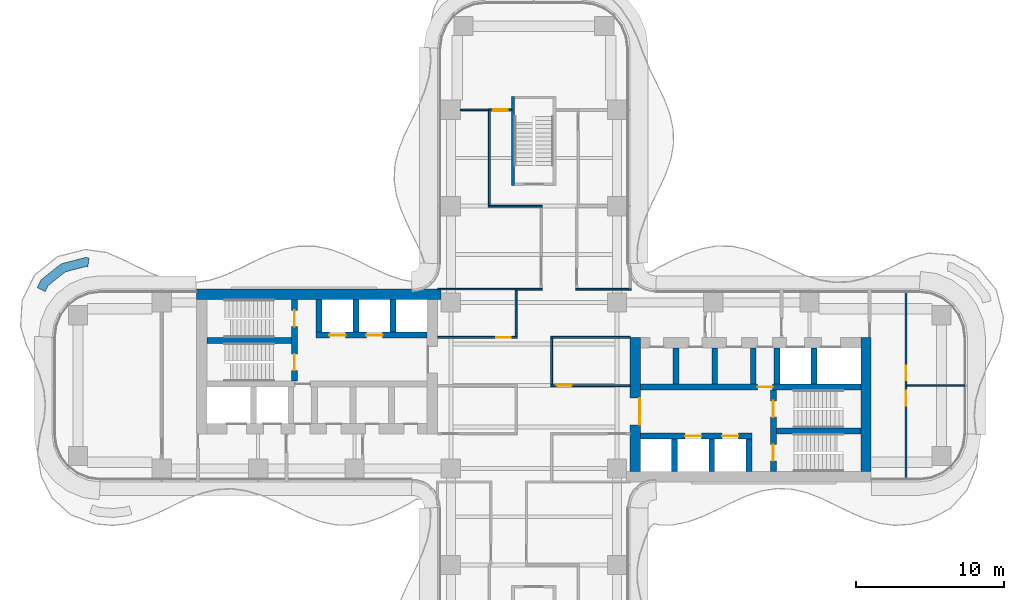
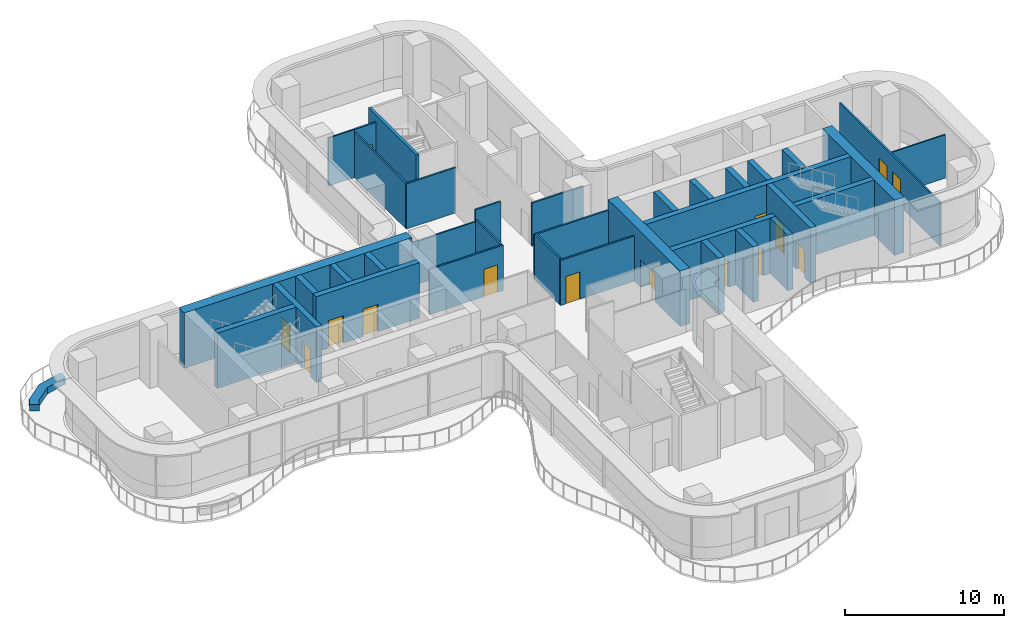
# One storey, part 17 of 21: 37 walls, 15 doors, 15 openings.
"""IFC4 building model written with IfcOpenShell, lengths in metres."""

import ifcopenshell
import ifcopenshell.guid

model = None  # the IFC model being written
_history = None  # IfcOwnerHistory: only IFC2X3 demands one
_inside = {}  # id of a spatial element -> (the spatial element, [elements in it])
_under = {}  # id of a project, library or spatial element -> (it, [spatial elements below it])
_declared = {}  # id of a project -> (the project, [libraries it declares])
_typed = {}  # id of a type object -> (the type object, [elements of that type])
_made_of = {}  # id of a material, layer set ... -> (it, [elements and type objects made of it])


def new_model(schema):
    """Start an empty IFC model of exactly this schema.

    Asked for "IFC4X3", IfcOpenShell would pick the latest addendum, in which some entities
    have other attributes; the version numbers below select the first issue.
    IFC2X3 requires an IfcOwnerHistory on every rooted entity: one is made here for all.
    """
    global model, _history
    if schema == "IFC4X3":
        model = ifcopenshell.file(schema_version=(4, 3, 0, 0))
    else:
        model = ifcopenshell.file(schema=schema)
    _inside.clear()
    _under.clear()
    _declared.clear()
    _typed.clear()
    _made_of.clear()
    _history = None
    if model.schema == "IFC2X3":
        org = make("IfcOrganization", Name="unknown")
        user = make(
            "IfcPersonAndOrganization",
            ThePerson=make("IfcPerson", FamilyName="unknown"),
            TheOrganization=org,
        )
        app = make(
            "IfcApplication",
            ApplicationDeveloper=org,
            Version="unknown",
            ApplicationFullName="unknown",
            ApplicationIdentifier="unknown",
        )
        _history = make(
            "IfcOwnerHistory",
            OwningUser=user,
            OwningApplication=app,
            ChangeAction="ADDED",
            CreationDate=0,
        )
    return model


def make(cls, **values):
    """One entity of the class cls with the attributes given. An attribute that is None is left unset."""
    return model.create_entity(
        cls, **{name: value for name, value in values.items() if value is not None}
    )


def rooted(cls, **values):
    """An entity with a GlobalId (a new one), such as an element, a storey or a relation."""
    return make(cls, GlobalId=ifcopenshell.guid.new(), OwnerHistory=_history, **values)


def si_unit(unit_type, name, prefix=None):
    """IfcSIUnit, for example si_unit("LENGTHUNIT", "METRE", prefix="MILLI")."""
    return make("IfcSIUnit", UnitType=unit_type, Prefix=prefix, Name=name)


def assignment(units):
    """IfcUnitAssignment: the units of a project."""
    return None if units is None else make("IfcUnitAssignment", Units=units)


def point(xyz):
    """IfcCartesianPoint."""
    return None if xyz is None else make("IfcCartesianPoint", Coordinates=xyz)


def direction(xyz):
    """IfcDirection."""
    return None if xyz is None else make("IfcDirection", DirectionRatios=xyz)


def frame(location, z_axis=None, x_axis=None):
    """IfcAxis2Placement3D, a coordinate frame: its origin and axes. An axis left out is left unset."""
    return make(
        "IfcAxis2Placement3D",
        Location=point(location),
        Axis=direction(z_axis),
        RefDirection=direction(x_axis),
    )


def frame_2d(location, x_axis=None):
    """IfcAxis2Placement2D, a coordinate frame in the plane: its origin and x axis."""
    return make(
        "IfcAxis2Placement2D", Location=point(location), RefDirection=direction(x_axis)
    )


def origin():
    """The frame at (0, 0, 0) with its axes left unset."""
    return frame((0.0, 0.0, 0.0))


def place(relative_to, where):
    """IfcLocalPlacement: puts the frame where relative to a parent placement (None: the world)."""
    return make(
        "IfcLocalPlacement", PlacementRelTo=relative_to, RelativePlacement=where
    )


def context(
    kind, dimensions, precision=None, world=None, true_north=None, identifier=None
):
    """IfcGeometricRepresentationContext, for example the 3D "Model" context."""
    return make(
        "IfcGeometricRepresentationContext",
        ContextIdentifier=identifier,
        ContextType=kind,
        CoordinateSpaceDimension=dimensions,
        Precision=precision,
        WorldCoordinateSystem=world,
        TrueNorth=true_north,
    )


def subcontext(parent, identifier, kind, view, scale=None):
    """IfcGeometricRepresentationSubContext, for example "Body" below "Model"."""
    return make(
        "IfcGeometricRepresentationSubContext",
        ContextIdentifier=identifier,
        ContextType=kind,
        ParentContext=parent,
        TargetScale=scale,
        TargetView=view,
    )


def project(units=None, contexts=None):
    """IfcProject with its units and contexts."""
    return rooted(
        "IfcProject",
        Name="project",
        RepresentationContexts=contexts,
        UnitsInContext=assignment(units),
    )


def spatial(cls, under=None, at=None, **own):
    """A site, building, storey or space (cls), placed at a placement, below another one or the project."""
    s = rooted(cls, ObjectPlacement=at, **own)
    if under is not None:
        _under.setdefault(under.id(), (under, []))[1].append(s)
    return s


def polyline(points):
    """IfcPolyline through the points."""
    return make("IfcPolyline", Points=[point(p) for p in points])


def profile(cls, at=None, kind="AREA", **sizes):
    """A parametric profile (cls). Its sizes go by their IFC names, for example OverallWidth=200.0."""
    return make(cls, ProfileType=kind, Position=at, **sizes)


def rectangle(**sizes):
    """IfcRectangleProfileDef."""
    return profile("IfcRectangleProfileDef", **sizes)


def outline(outer, holes=None, kind="AREA"):
    """IfcArbitraryClosedProfileDef: a profile drawn as a closed curve; with holes, ...WithVoids."""
    if holes is None:
        return make("IfcArbitraryClosedProfileDef", ProfileType=kind, OuterCurve=outer)
    return make(
        "IfcArbitraryProfileDefWithVoids",
        ProfileType=kind,
        OuterCurve=outer,
        InnerCurves=holes,
    )


def extrude(swept, where, along, depth):
    """IfcExtrudedAreaSolid: the profile swept, set in the frame where, extruded along a direction by depth."""
    return make(
        "IfcExtrudedAreaSolid",
        SweptArea=swept,
        Position=where,
        ExtrudedDirection=direction(along),
        Depth=depth,
    )


def shape(context_of_items, identifier, shape_type, items):
    """IfcShapeRepresentation: the items that make up one representation, for example the "Body"."""
    return make(
        "IfcShapeRepresentation",
        ContextOfItems=context_of_items,
        RepresentationIdentifier=identifier,
        RepresentationType=shape_type,
        Items=items,
    )


def source(mapping_origin, context_of_items, identifier, shape_type, items):
    """IfcRepresentationMap: a shape defined once, which mapped items show again and again."""
    return make(
        "IfcRepresentationMap",
        MappingOrigin=mapping_origin,
        MappedRepresentation=shape(context_of_items, identifier, shape_type, items),
    )


def transform(
    local_origin,
    x_axis=None,
    y_axis=None,
    z_axis=None,
    scale=None,
    scale2=None,
    scale3=None,
    uniform=True,
):
    """IfcCartesianTransformationOperator3D, or its non-uniform kind. x_axis, y_axis, z_axis: its Axis1, 2, 3."""
    if uniform:
        return make(
            "IfcCartesianTransformationOperator3D",
            Axis1=direction(x_axis),
            Axis2=direction(y_axis),
            LocalOrigin=point(local_origin),
            Scale=scale,
            Axis3=direction(z_axis),
        )
    return make(
        "IfcCartesianTransformationOperator3DnonUniform",
        Axis1=direction(x_axis),
        Axis2=direction(y_axis),
        LocalOrigin=point(local_origin),
        Scale=scale,
        Axis3=direction(z_axis),
        Scale2=scale2,
        Scale3=scale3,
    )


def mapped(mapping_source, mapping_target):
    """IfcMappedItem: shows the shape of a source again, moved by a transform."""
    return make(
        "IfcMappedItem", MappingSource=mapping_source, MappingTarget=mapping_target
    )


def material(Name=None, Category=None):
    """IfcMaterial."""
    return make("IfcMaterial", Name=Name, Category=Category)


def layer(
    of_material, thickness, ventilated=None, Name=None, Category=None, Priority=None
):
    """IfcMaterialLayer: one layer of a wall or slab, of a material (None: an air gap)."""
    return make(
        "IfcMaterialLayer",
        Material=of_material,
        LayerThickness=thickness,
        IsVentilated=ventilated,
        Name=Name,
        Category=Category,
        Priority=Priority,
    )


def layer_set(layers, Name=None):
    """IfcMaterialLayerSet."""
    return make("IfcMaterialLayerSet", MaterialLayers=layers, LayerSetName=Name)


def made_of(thing, what):
    """Note that an element or type object is made of a material, layer set ...; save() writes the relation."""
    if what is not None:
        _made_of.setdefault(what.id(), (what, []))[1].append(thing)
    return thing


def type_object(cls, material=None, **own):
    """A type object (cls), such as IfcWallType, which elements share."""
    return made_of(rooted(cls, **own), material)


def element(
    cls,
    number,
    at=None,
    inside=None,
    cuts=None,
    type_object=None,
    material=None,
    context=None,
    identifier="Body",
    shape_type=None,
    held_by="IfcProductDefinitionShape",
    body=None,
    shapes=None,
    **own,
):
    """One element of the class cls, such as IfcWall. Its Tag is "e" and its number.

    at: its placement. inside: the storey or other place that contains it. cuts: it is an
    opening in that element (IfcRelVoidsElement). A single representation is given by context,
    identifier, shape_type and body (its items); several are given by shapes. held_by: the class
    of the entity that holds the representations. save() writes the other relations.
    """
    e = rooted(cls, Tag="e%d" % number, ObjectPlacement=at, **own)
    if body is not None:
        shapes = [shape(context, identifier, shape_type, body)]
    if shapes is not None:
        e.Representation = make(held_by, Representations=shapes)
    if inside is not None:
        _inside.setdefault(inside.id(), (inside, []))[1].append(e)
    if cuts is not None:
        rooted(
            "IfcRelVoidsElement", RelatingBuildingElement=cuts, RelatedOpeningElement=e
        )
    if type_object is not None:
        _typed.setdefault(type_object.id(), (type_object, []))[1].append(e)
    return made_of(e, material)


def fill(opening, filler):
    """IfcRelFillsElement: the door or window that sits in an opening."""
    return rooted(
        "IfcRelFillsElement",
        RelatingOpeningElement=opening,
        RelatedBuildingElement=filler,
    )


def aggregate(whole, parts):
    """IfcRelAggregates: a whole, such as a stair, and the parts it consists of."""
    return rooted("IfcRelAggregates", RelatingObject=whole, RelatedObjects=parts)


def save(model, path):
    """Write the relations noted so far, then the file.

    IfcRelAggregates (storeys below a building ...), IfcRelContainedInSpatialStructure (elements
    in a storey), IfcRelDefinesByType, IfcRelAssociatesMaterial and IfcRelDeclares: one each for
    every whole, place, type object, material and project.
    """
    for whole, parts in _under.values():
        aggregate(whole, parts)
    for where, things in _inside.values():
        rooted(
            "IfcRelContainedInSpatialStructure",
            RelatedElements=things,
            RelatingStructure=where,
        )
    for kind, things in _typed.values():
        rooted("IfcRelDefinesByType", RelatedObjects=things, RelatingType=kind)
    for what, things in _made_of.values():
        rooted("IfcRelAssociatesMaterial", RelatedObjects=things, RelatingMaterial=what)
    for by, libraries in _declared.values():
        rooted("IfcRelDeclares", RelatingContext=by, RelatedDefinitions=libraries)
    model.write(path)


model = new_model("IFC4")

# Units and contexts
model_context = context("Model", 3, precision=1e-05, world=origin(), true_north=direction((0.0, 1.0)))
body_context = subcontext(model_context, "Body", "Model", "MODEL_VIEW")
ifc_project = project(units=[si_unit("LENGTHUNIT", "METRE"), si_unit("AREAUNIT", "SQUARE_METRE"), si_unit("VOLUMEUNIT", "CUBIC_METRE"), si_unit("PLANEANGLEUNIT", "RADIAN"), si_unit("MASSUNIT", "GRAM", prefix="KILO")], contexts=[model_context])

# Site, building, storey
site_placement = place(None, origin())
site = spatial("IfcSite", under=ifc_project, at=site_placement, CompositionType="ELEMENT")
building_placement = place(site_placement, origin())
building = spatial("IfcBuilding", under=site, at=building_placement, Name="Trellis Farm Tower", CompositionType="ELEMENT")
storey_placement = place(building_placement, frame((0.0, 0.0, 102.0)))
storey = spatial("IfcBuildingStorey", under=building, at=storey_placement, Name="L21", CompositionType="ELEMENT", Elevation=102.0)

# Wall
ifc_material_1 = material(Name="Sandstone faced masonry planter", Category="masonry")
ifc_layer_1 = layer(ifc_material_1, 0.60009765625)
ifc_layer_set_1 = layer_set([ifc_layer_1], Name="PLANTER BED 600")
wall_type_1 = type_object("IfcWallType", Name="PLANTER BED 600", PredefinedType="USERDEFINED", material=ifc_layer_set_1)
wall_1_placement = place(storey_placement, origin())
element("IfcWall", 1, at=wall_1_placement, inside=storey, type_object=wall_type_1, Name="PLANTER bed", ObjectType="PLANTER", PredefinedType="USERDEFINED", context=body_context, shape_type="SweptSolid", body=[
    extrude(outline(polyline([(-33.228515625, 7.14306640625), (-31.8935546875, 8.212890625), (-30.240478515625, 8.642578125), (-30.0029296875, 8.608642578125), (-30.08837890625, 8.0146484375), (-30.206298828125, 8.03173828125), (-31.618408203125, 7.66455078125), (-32.752197265625, 6.755859375), (-32.963623046875, 6.33984375), (-33.49853515625, 6.61181640625), (-33.228515625, 7.14306640625)])), origin(), (0.0, 0.0, 1.0), 0.5),
])

# Wall, opening, door
ifc_material_2 = material(Name="Concrete C70/85", Category="concrete")
ifc_layer_2 = layer(ifc_material_2, 0.699951171875)
ifc_layer_set_2 = layer_set([ifc_layer_2], Name="CORE OUTER WALL 700 CONCRETE C70/85")
wall_type_2 = type_object("IfcWallType", Name="CORE OUTER WALL 700 CONCRETE C70/85", PredefinedType="SHEAR", material=ifc_layer_set_2)
shared_shape_1 = source(origin(), body_context, "Body", "SweptSolid", [
    extrude(rectangle(XDim=9.050048828125, YDim=0.699951171875, at=frame_2d((4.52490234375, 0.0))), origin(), (0.0, 0.0, 1.0), 4.25),
])
wall_2_placement = place(storey_placement, frame((6.85009765625, -5.800048828125, 0.0), z_axis=(0.0, 0.0, 1.0), x_axis=(0.0, 1.0, 0.0)))
wall_2 = element("IfcWall", 2, at=wall_2_placement, inside=storey, type_object=wall_type_2, Name="Core wall", PredefinedType="SHEAR", context=body_context, shape_type="MappedRepresentation", body=[
    mapped(shared_shape_1, transform((0.0, 0.0, 0.0))),
])
shared_shape_2 = source(origin(), body_context, "Body", "SweptSolid", [
    extrude(rectangle(XDim=1.800048828125, YDim=2.10009765625, at=frame_2d((0.89990234375, 1.050048828125))), frame((0.0, 0.360107421875, 0.0), z_axis=(0.0, -1.0, 0.0), x_axis=(1.0, 0.0, 0.0)), (0.0, 0.0, 1.0), 0.72021484375),
])
opening_1_placement = place(wall_2_placement, frame((3.14990234375, 0.0, 0.0)))
opening_1 = element("IfcOpeningElement", 3, at=opening_1_placement, cuts=wall_2, Name="Opening DC1", PredefinedType="OPENING", context=body_context, shape_type="MappedRepresentation", body=[
    mapped(shared_shape_2, transform((0.0, 0.0, 0.0))),
])
ifc_material_3 = material(Name="Steel", Category="steel")
door_type_1 = type_object("IfcDoorType", Name="CORE FIRE DOOR DOUBLE 1800 X 2100", OperationType="DOUBLE_DOOR_SINGLE_SWING", PredefinedType="DOOR", material=ifc_material_3)
shared_shape_3 = source(origin(), body_context, "Body", "SweptSolid", [
    extrude(rectangle(XDim=1.800048828125, YDim=2.10009765625, at=frame_2d((0.89990234375, 1.050048828125))), frame((0.0, -0.27490234375, 0.0), z_axis=(0.0, -1.0, 0.0), x_axis=(1.0, 0.0, 0.0)), (0.0, 0.0, 1.0), 0.050048828125),
])
door_1_placement = place(opening_1_placement, origin())
door_1 = element("IfcDoor", 4, at=door_1_placement, inside=storey, type_object=door_type_1, Name="Core door", OperationType="DOUBLE_DOOR_SINGLE_SWING", OverallHeight=2.10009765625, OverallWidth=1.800048828125, PredefinedType="DOOR", context=body_context, shape_type="MappedRepresentation", body=[
    mapped(shared_shape_3, transform((0.0, 0.0, 0.0))),
])
fill(opening_1, door_1)

# Walls
wall_3_placement = place(storey_placement, frame((22.39990234375, -5.800048828125, 0.0), z_axis=(0.0, 0.0, 1.0), x_axis=(0.0, 1.0, 0.0)))
element("IfcWall", 5, at=wall_3_placement, inside=storey, type_object=wall_type_2, Name="Core wall", PredefinedType="SHEAR", context=body_context, shape_type="MappedRepresentation", body=[
    mapped(shared_shape_1, transform((0.0, 0.0, 0.0))),
])
ifc_layer_3 = layer(ifc_material_2, 0.39990234375)
ifc_layer_set_3 = layer_set([ifc_layer_3], Name="CORE INNER WALL 400 CONCRETE C70/85")
wall_type_3 = type_object("IfcWallType", Name="CORE INNER WALL 400 CONCRETE C70/85", PredefinedType="SHEAR", material=ifc_layer_set_3)
shared_shape_4 = source(origin(), body_context, "Body", "SweptSolid", [
    extrude(rectangle(XDim=2.199951171875, YDim=0.39990234375, at=frame_2d((1.10009765625, 0.0))), origin(), (0.0, 0.0, 1.0), 4.25),
])
for number, where, z_axis, x_axis, name in (
    (6, (9.5, -5.800048828125, 0.0), (0.0, 0.0, 1.0), (0.0, 1.0, 0.0), "Core wall"),
    (7, (12.0, -5.800048828125, 0.0), (0.0, 0.0, 1.0), (0.0, 1.0, 0.0), "Core wall"),
    (8, (14.5, -5.800048828125, 0.0), (0.0, 0.0, 1.0), (0.0, 1.0, 0.0), "Core wall"),
    (9, (-9.5, 5.800048828125, 0.0), (0.0, 0.0, 1.0), (0.0, -1.0, 0.0), "Core wall"),
    (10, (-12.0, 5.800048828125, 0.0), (0.0, 0.0, 1.0), (0.0, -1.0, 0.0), "Core wall"),
    (11, (-14.5, 5.800048828125, 0.0), (0.0, 0.0, 1.0), (0.0, -1.0, 0.0), "Core wall"),
):
    element("IfcWall", number, at=place(storey_placement, frame(where, z_axis=z_axis, x_axis=x_axis)), inside=storey, type_object=wall_type_3, Name=name, PredefinedType="SHEAR", context=body_context, shape_type="MappedRepresentation", body=[
        mapped(shared_shape_4, transform((0.0, 0.0, 0.0))),
    ])
shared_shape_5 = source(origin(), body_context, "Body", "SweptSolid", [
    extrude(rectangle(XDim=2.449951171875, YDim=0.39990234375, at=frame_2d((1.22509765625, 0.0))), origin(), (0.0, 0.0, 1.0), 4.25),
])
for number, where, z_axis, x_axis, name in (
    (12, (9.60009765625, 0.10009765625, 0.0), (0.0, 0.0, 1.0), (0.0, 1.0, 0.0), "Core wall"),
    (13, (12.199951171875, 0.10009765625, 0.0), (0.0, 0.0, 1.0), (0.0, 1.0, 0.0), "Core wall"),
    (14, (14.800048828125, 0.10009765625, 0.0), (0.0, 0.0, 1.0), (0.0, 1.0, 0.0), "Core wall"),
    (15, (16.39990234375, 0.10009765625, 0.0), (0.0, 0.0, 1.0), (0.0, 1.0, 0.0), "Core wall"),
    (16, (18.89990234375, 0.10009765625, 0.0), (0.0, 0.0, 1.0), (0.0, 1.0, 0.0), "Core wall"),
):
    element("IfcWall", number, at=place(storey_placement, frame(where, z_axis=z_axis, x_axis=x_axis)), inside=storey, type_object=wall_type_3, Name=name, PredefinedType="SHEAR", context=body_context, shape_type="MappedRepresentation", body=[
        mapped(shared_shape_5, transform((0.0, 0.0, 0.0))),
    ])

# Wall, openings, doors
shared_shape_6 = source(origin(), body_context, "Body", "SweptSolid", [
    extrude(rectangle(XDim=7.5, YDim=0.39990234375, at=frame_2d((3.75, 0.0))), origin(), (0.0, 0.0, 1.0), 4.25),
])
wall_4_placement = place(storey_placement, frame((7.199951171875, -3.39990234375, 0.0), z_axis=(0.0, 0.0, 1.0), x_axis=(1.0, 0.0, 0.0)))
wall_4 = element("IfcWall", 17, at=wall_4_placement, inside=storey, type_object=wall_type_3, Name="Core wall", PredefinedType="SHEAR", context=body_context, shape_type="MappedRepresentation", body=[
    mapped(shared_shape_6, transform((0.0, 0.0, 0.0))),
])
shared_shape_7 = source(origin(), body_context, "Body", "SweptSolid", [
    extrude(rectangle(XDim=1.10009765625, YDim=2.10009765625, at=frame_2d((0.550048828125, 1.050048828125))), frame((0.0, 0.2099609375, 0.0), z_axis=(0.0, -1.0, 0.0), x_axis=(1.0, 0.0, 0.0)), (0.0, 0.0, 1.0), 0.419921875),
])
opening_2_placement = place(wall_4_placement, frame((3.0, 0.0, 0.0)))
opening_2 = element("IfcOpeningElement", 18, at=opening_2_placement, cuts=wall_4, Name="Opening LD2", PredefinedType="OPENING", context=body_context, shape_type="MappedRepresentation", body=[
    mapped(shared_shape_7, transform((0.0, 0.0, 0.0))),
])
opening_3_placement = place(wall_4_placement, frame((5.5, 0.0, 0.0)))
opening_3 = element("IfcOpeningElement", 19, at=opening_3_placement, cuts=wall_4, Name="Opening LD3", PredefinedType="OPENING", context=body_context, shape_type="MappedRepresentation", body=[
    mapped(shared_shape_7, transform((0.0, 0.0, 0.0))),
])
ifc_material_4 = material(Name="Stainless steel", Category="steel")
door_type_2 = type_object("IfcDoorType", Name="LIFT LANDING DOOR 1100 X 2100", OperationType="DOUBLE_DOOR_SLIDING", PredefinedType="DOOR", material=ifc_material_4)
shared_shape_8 = source(origin(), body_context, "Body", "SweptSolid", [
    extrude(rectangle(XDim=1.10009765625, YDim=2.10009765625, at=frame_2d((0.550048828125, 1.050048828125))), frame((0.0, 0.02490234375, 0.0), z_axis=(0.0, -1.0, 0.0), x_axis=(1.0, 0.0, 0.0)), (0.0, 0.0, 1.0), 0.050048828125),
])
door_2_placement = place(opening_2_placement, origin())
door_2 = element("IfcDoor", 20, at=door_2_placement, inside=storey, type_object=door_type_2, Name="Lift landing door", OperationType="DOUBLE_DOOR_SLIDING", OverallHeight=2.10009765625, OverallWidth=1.10009765625, PredefinedType="DOOR", context=body_context, shape_type="MappedRepresentation", body=[
    mapped(shared_shape_8, transform((0.0, 0.0, 0.0))),
])
fill(opening_2, door_2)
door_3_placement = place(opening_3_placement, origin())
door_3 = element("IfcDoor", 21, at=door_3_placement, inside=storey, type_object=door_type_2, Name="Lift landing door", OperationType="DOUBLE_DOOR_SLIDING", OverallHeight=2.10009765625, OverallWidth=1.10009765625, PredefinedType="DOOR", context=body_context, shape_type="MappedRepresentation", body=[
    mapped(shared_shape_8, transform((0.0, 0.0, 0.0))),
])
fill(opening_3, door_3)

wall_5_placement = place(storey_placement, frame((-7.199951171875, 3.39990234375, 0.0), z_axis=(0.0, 0.0, 1.0), x_axis=(-1.0, 0.0, 0.0)))
wall_5 = element("IfcWall", 22, at=wall_5_placement, inside=storey, type_object=wall_type_3, Name="Core wall", PredefinedType="SHEAR", context=body_context, shape_type="MappedRepresentation", body=[
    mapped(shared_shape_6, transform((0.0, 0.0, 0.0))),
])
opening_4_placement = place(wall_5_placement, frame((3.0, 0.0, 0.0)))
opening_4 = element("IfcOpeningElement", 23, at=opening_4_placement, cuts=wall_5, Name="Opening LD10", PredefinedType="OPENING", context=body_context, shape_type="MappedRepresentation", body=[
    mapped(shared_shape_7, transform((0.0, 0.0, 0.0))),
])
opening_5_placement = place(wall_5_placement, frame((5.5, 0.0, 0.0)))
opening_5 = element("IfcOpeningElement", 24, at=opening_5_placement, cuts=wall_5, Name="Opening LD11", PredefinedType="OPENING", context=body_context, shape_type="MappedRepresentation", body=[
    mapped(shared_shape_7, transform((0.0, 0.0, 0.0))),
])
door_4_placement = place(opening_4_placement, origin())
door_4 = element("IfcDoor", 25, at=door_4_placement, inside=storey, type_object=door_type_2, Name="Lift landing door", OperationType="DOUBLE_DOOR_SLIDING", OverallHeight=2.10009765625, OverallWidth=1.10009765625, PredefinedType="DOOR", context=body_context, shape_type="MappedRepresentation", body=[
    mapped(shared_shape_8, transform((0.0, 0.0, 0.0))),
])
fill(opening_4, door_4)
door_5_placement = place(opening_5_placement, origin())
door_5 = element("IfcDoor", 26, at=door_5_placement, inside=storey, type_object=door_type_2, Name="Lift landing door", OperationType="DOUBLE_DOOR_SLIDING", OverallHeight=2.10009765625, OverallWidth=1.10009765625, PredefinedType="DOOR", context=body_context, shape_type="MappedRepresentation", body=[
    mapped(shared_shape_8, transform((0.0, 0.0, 0.0))),
])
fill(opening_5, door_5)

# Wall, opening, door
shared_shape_9 = source(origin(), body_context, "Body", "SweptSolid", [
    extrude(rectangle(XDim=14.85009765625, YDim=0.39990234375, at=frame_2d((7.425048828125, 0.0))), origin(), (0.0, 0.0, 1.0), 4.25),
])
wall_6_placement = place(storey_placement, frame((7.199951171875, -0.10009765625, 0.0), z_axis=(0.0, 0.0, 1.0), x_axis=(1.0, 0.0, 0.0)))
wall_6 = element("IfcWall", 27, at=wall_6_placement, inside=storey, type_object=wall_type_3, Name="Core wall", PredefinedType="SHEAR", context=body_context, shape_type="MappedRepresentation", body=[
    mapped(shared_shape_9, transform((0.0, 0.0, 0.0))),
])
shared_shape_10 = source(origin(), body_context, "Body", "SweptSolid", [
    extrude(rectangle(XDim=1.0, YDim=2.10009765625, at=frame_2d((0.5, 1.050048828125))), frame((0.0, 0.2099609375, 0.0), z_axis=(0.0, -1.0, 0.0), x_axis=(1.0, 0.0, 0.0)), (0.0, 0.0, 1.0), 0.419921875),
])
opening_6_placement = place(wall_6_placement, frame((7.89990234375, 0.0, 0.0)))
opening_6 = element("IfcOpeningElement", 28, at=opening_6_placement, cuts=wall_6, Name="Opening DC5", PredefinedType="OPENING", context=body_context, shape_type="MappedRepresentation", body=[
    mapped(shared_shape_10, transform((0.0, 0.0, 0.0))),
])
door_type_3 = type_object("IfcDoorType", Name="CORE FIRE DOOR 1000 X 2100", OperationType="NOTDEFINED", PredefinedType="DOOR", material=ifc_material_3)
shared_shape_11 = source(origin(), body_context, "Body", "SweptSolid", [
    extrude(rectangle(XDim=1.0, YDim=2.10009765625, at=frame_2d((0.5, 1.050048828125))), frame((0.0, 0.02490234375, 0.0), z_axis=(0.0, -1.0, 0.0), x_axis=(1.0, 0.0, 0.0)), (0.0, 0.0, 1.0), 0.050048828125),
])
door_6_placement = place(opening_6_placement, origin())
door_6 = element("IfcDoor", 29, at=door_6_placement, inside=storey, type_object=door_type_3, Name="Core door", OperationType="SINGLE_SWING_RIGHT", OverallHeight=2.10009765625, OverallWidth=1.0, PredefinedType="DOOR", context=body_context, shape_type="MappedRepresentation", body=[
    mapped(shared_shape_11, transform((0.0, 0.0, 0.0))),
])
fill(opening_6, door_6)

# Wall, openings, doors
shared_shape_12 = source(origin(), body_context, "Body", "SweptSolid", [
    extrude(rectangle(XDim=5.5, YDim=0.39990234375, at=frame_2d((2.75, 0.0))), origin(), (0.0, 0.0, 1.0), 4.25),
])
wall_7_placement = place(storey_placement, frame((16.14990234375, -5.800048828125, 0.0), z_axis=(0.0, 0.0, 1.0), x_axis=(0.0, 1.0, 0.0)))
wall_7 = element("IfcWall", 30, at=wall_7_placement, inside=storey, type_object=wall_type_3, Name="Core wall", PredefinedType="SHEAR", context=body_context, shape_type="MappedRepresentation", body=[
    mapped(shared_shape_12, transform((0.0, 0.0, 0.0))),
])
opening_7_placement = place(wall_7_placement, frame((0.72509765625, 0.0, 0.0)))
opening_7 = element("IfcOpeningElement", 31, at=opening_7_placement, cuts=wall_7, Name="Opening DC2", PredefinedType="OPENING", context=body_context, shape_type="MappedRepresentation", body=[
    mapped(shared_shape_7, transform((0.0, 0.0, 0.0))),
])
opening_8_placement = place(wall_7_placement, frame((3.675048828125, 0.0, 0.0)))
opening_8 = element("IfcOpeningElement", 32, at=opening_8_placement, cuts=wall_7, Name="Opening DC3", PredefinedType="OPENING", context=body_context, shape_type="MappedRepresentation", body=[
    mapped(shared_shape_7, transform((0.0, 0.0, 0.0))),
])
door_type_4 = type_object("IfcDoorType", Name="CORE FIRE DOOR 1100 X 2100", OperationType="NOTDEFINED", PredefinedType="DOOR", material=ifc_material_3)
door_7_placement = place(opening_7_placement, origin())
door_7 = element("IfcDoor", 33, at=door_7_placement, inside=storey, type_object=door_type_4, Name="Core door", OperationType="SINGLE_SWING_RIGHT", OverallHeight=2.10009765625, OverallWidth=1.10009765625, PredefinedType="DOOR", context=body_context, shape_type="MappedRepresentation", body=[
    mapped(shared_shape_8, transform((0.0, 0.0, 0.0))),
])
fill(opening_7, door_7)
door_8_placement = place(opening_8_placement, origin())
door_8 = element("IfcDoor", 34, at=door_8_placement, inside=storey, type_object=door_type_4, Name="Core door", OperationType="SINGLE_SWING_LEFT", OverallHeight=2.10009765625, OverallWidth=1.10009765625, PredefinedType="DOOR", context=body_context, shape_type="MappedRepresentation", body=[
    mapped(shared_shape_8, transform((0.0, 0.0, 0.0))),
])
fill(opening_8, door_8)

wall_8_placement = place(storey_placement, frame((-16.14990234375, 5.800048828125, 0.0), z_axis=(0.0, 0.0, 1.0), x_axis=(0.0, -1.0, 0.0)))
wall_8 = element("IfcWall", 35, at=wall_8_placement, inside=storey, type_object=wall_type_3, Name="Core wall", PredefinedType="SHEAR", context=body_context, shape_type="MappedRepresentation", body=[
    mapped(shared_shape_12, transform((0.0, 0.0, 0.0))),
])
opening_9_placement = place(wall_8_placement, frame((0.72509765625, 0.0, 0.0)))
opening_9 = element("IfcOpeningElement", 36, at=opening_9_placement, cuts=wall_8, Name="Opening DC88", PredefinedType="OPENING", context=body_context, shape_type="MappedRepresentation", body=[
    mapped(shared_shape_7, transform((0.0, 0.0, 0.0))),
])
opening_10_placement = place(wall_8_placement, frame((3.675048828125, 0.0, 0.0)))
opening_10 = element("IfcOpeningElement", 37, at=opening_10_placement, cuts=wall_8, Name="Opening DC89", PredefinedType="OPENING", context=body_context, shape_type="MappedRepresentation", body=[
    mapped(shared_shape_7, transform((0.0, 0.0, 0.0))),
])
door_9_placement = place(opening_9_placement, origin())
door_9 = element("IfcDoor", 38, at=door_9_placement, inside=storey, type_object=door_type_4, Name="Core door", OperationType="SINGLE_SWING_RIGHT", OverallHeight=2.10009765625, OverallWidth=1.10009765625, PredefinedType="DOOR", context=body_context, shape_type="MappedRepresentation", body=[
    mapped(shared_shape_8, transform((0.0, 0.0, 0.0))),
])
fill(opening_9, door_9)
door_10_placement = place(opening_10_placement, origin())
door_10 = element("IfcDoor", 39, at=door_10_placement, inside=storey, type_object=door_type_4, Name="Core door", OperationType="SINGLE_SWING_LEFT", OverallHeight=2.10009765625, OverallWidth=1.10009765625, PredefinedType="DOOR", context=body_context, shape_type="MappedRepresentation", body=[
    mapped(shared_shape_8, transform((0.0, 0.0, 0.0))),
])
fill(opening_10, door_10)

# Walls
shared_shape_13 = source(origin(), body_context, "Body", "SweptSolid", [
    extrude(rectangle(XDim=5.699951171875, YDim=0.39990234375, at=frame_2d((2.85009765625, 0.0))), origin(), (0.0, 0.0, 1.0), 4.25),
])
for number, where, z_axis, x_axis, name in (
    (40, (16.35009765625, -3.050048828125, 0.0), (0.0, 0.0, 1.0), (1.0, 0.0, 0.0), "Core wall"),
    (41, (-16.35009765625, 3.050048828125, 0.0), (0.0, 0.0, 1.0), (-1.0, 0.0, 0.0), "Core wall"),
):
    element("IfcWall", number, at=place(storey_placement, frame(where, z_axis=z_axis, x_axis=x_axis)), inside=storey, type_object=wall_type_3, Name=name, PredefinedType="SHEAR", context=body_context, shape_type="MappedRepresentation", body=[
        mapped(shared_shape_13, transform((0.0, 0.0, 0.0))),
    ])
shared_shape_14 = source(origin(), body_context, "Body", "SweptSolid", [
    extrude(rectangle(XDim=16.5, YDim=0.699951171875, at=frame_2d((8.25, 0.0))), origin(), (0.0, 0.0, 1.0), 4.25),
])
wall_9_placement = place(storey_placement, frame((-6.25, 6.14990234375, 0.0), z_axis=(0.0, 0.0, 1.0), x_axis=(-1.0, 0.0, 0.0)))
element("IfcWall", 42, at=wall_9_placement, inside=storey, type_object=wall_type_2, Name="Core wall", PredefinedType="SHEAR", context=body_context, shape_type="MappedRepresentation", body=[
    mapped(shared_shape_14, transform((0.0, 0.0, 0.0))),
])
ifc_layer_4 = layer(ifc_material_2, 0.199951171875)
ifc_layer_set_4 = layer_set([ifc_layer_4], Name="CORE STAIR ENCLOSURE WALL 200 CONCRETE C70/85")
wall_type_4 = type_object("IfcWallType", Name="CORE STAIR ENCLOSURE WALL 200 CONCRETE C70/85", PredefinedType="SHEAR", material=ifc_layer_set_4)
shared_shape_15 = source(origin(), body_context, "Body", "SweptSolid", [
    extrude(rectangle(XDim=6.0, YDim=0.199951171875, at=frame_2d((3.0, 0.0))), origin(), (0.0, 0.0, 1.0), 4.25),
])
wall_10_placement = place(storey_placement, frame((-1.39990234375, 13.5, 0.0), z_axis=(0.0, 0.0, 1.0), x_axis=(0.0, 1.0, 0.0)))
element("IfcWall", 43, at=wall_10_placement, inside=storey, type_object=wall_type_4, Name="Stair enclosure wall", PredefinedType="SHEAR", context=body_context, shape_type="MappedRepresentation", body=[
    mapped(shared_shape_15, transform((0.0, 0.0, 0.0))),
])
ifc_material_5 = material(Name="Plasterboard on steel studs, mineral wool", Category="steel")
ifc_layer_5 = layer(ifc_material_5, 0.125)
ifc_layer_set_5 = layer_set([ifc_layer_5], Name="PARTITION 125 STUD EI 60")
wall_type_5 = type_object("IfcWallType", Name="PARTITION 125 STUD EI 60", PredefinedType="PARTITIONING", material=ifc_layer_set_5)
shared_shape_16 = source(origin(), body_context, "Body", "SweptSolid", [
    extrude(rectangle(XDim=3.125, YDim=0.125, at=frame_2d((1.5625, 0.0))), origin(), (0.0, 0.0, 1.0), 3.54638671875),
])
wall_11_placement = place(storey_placement, frame((1.199951171875, 3.1875, 0.0), z_axis=(0.0, 0.0, 1.0), x_axis=(0.0, -1.0, 0.0)))
element("IfcWall", 44, at=wall_11_placement, inside=storey, type_object=wall_type_5, Name="Partition PW1", PredefinedType="PARTITIONING", context=body_context, shape_type="MappedRepresentation", body=[
    mapped(shared_shape_16, transform((0.0, 0.0, 0.0))),
])

# Wall, opening, door
shared_shape_17 = source(origin(), body_context, "Body", "SweptSolid", [
    extrude(rectangle(XDim=5.362548828125, YDim=0.125, at=frame_2d((2.68115234375, 0.0))), origin(), (0.0, 0.0, 1.0), 3.4677734375),
])
wall_12_placement = place(storey_placement, frame((6.5, 0.0, 0.0), z_axis=(0.0, 0.0, 1.0), x_axis=(-1.0, 0.0, 0.0)))
wall_12 = element("IfcWall", 45, at=wall_12_placement, inside=storey, type_object=wall_type_5, Name="Partition PW1", PredefinedType="PARTITIONING", context=body_context, shape_type="MappedRepresentation", body=[
    mapped(shared_shape_17, transform((0.0, 0.0, 0.0))),
])
shared_shape_18 = source(origin(), body_context, "Body", "SweptSolid", [
    extrude(rectangle(XDim=1.0, YDim=2.10009765625, at=frame_2d((0.5, 1.050048828125))), frame((0.0, 0.072509765625, 0.0), z_axis=(0.0, -1.0, 0.0), x_axis=(1.0, 0.0, 0.0)), (0.0, 0.0, 1.0), 0.14501953125),
])
opening_11_placement = place(wall_12_placement, frame((3.949951171875, 0.0, 0.0)))
opening_11 = element("IfcOpeningElement", 46, at=opening_11_placement, cuts=wall_12, Name="Opening D106", PredefinedType="OPENING", context=body_context, shape_type="MappedRepresentation", body=[
    mapped(shared_shape_18, transform((0.0, 0.0, 0.0))),
])
ifc_material_6 = material(Name="Fire-rated timber door leaf in a hollow metal frame", Category="wood")
door_type_5 = type_object("IfcDoorType", Name="DOOR 1000x2100 FD30S", OperationType="NOTDEFINED", PredefinedType="DOOR", material=ifc_material_6)
door_11_placement = place(opening_11_placement, origin())
door_11 = element("IfcDoor", 47, at=door_11_placement, inside=storey, type_object=door_type_5, Name="Door D106", OperationType="SINGLE_SWING_RIGHT", OverallHeight=2.10009765625, OverallWidth=1.0, PredefinedType="DOOR", context=body_context, shape_type="MappedRepresentation", body=[
    mapped(shared_shape_11, transform((0.0, 0.0, 0.0))),
])
fill(opening_11, door_11)

wall_13_placement = place(storey_placement, frame((-6.5, 3.25, 0.0), z_axis=(0.0, 0.0, 1.0), x_axis=(1.0, 0.0, 0.0)))
wall_13 = element("IfcWall", 48, at=wall_13_placement, inside=storey, type_object=wall_type_5, Name="Partition PW1", PredefinedType="PARTITIONING", context=body_context, shape_type="MappedRepresentation", body=[
    mapped(shared_shape_17, transform((0.0, 0.0, 0.0))),
])
opening_12_placement = place(wall_13_placement, frame((3.949951171875, 0.0, 0.0)))
opening_12 = element("IfcOpeningElement", 49, at=opening_12_placement, cuts=wall_13, Name="Opening D108", PredefinedType="OPENING", context=body_context, shape_type="MappedRepresentation", body=[
    mapped(shared_shape_18, transform((0.0, 0.0, 0.0))),
])
door_12_placement = place(opening_12_placement, origin())
door_12 = element("IfcDoor", 50, at=door_12_placement, inside=storey, type_object=door_type_5, Name="Door D108", OperationType="SINGLE_SWING_RIGHT", OverallHeight=2.10009765625, OverallWidth=1.0, PredefinedType="DOOR", context=body_context, shape_type="MappedRepresentation", body=[
    mapped(shared_shape_11, transform((0.0, 0.0, 0.0))),
])
fill(opening_12, door_12)

# Walls
wall_14_placement = place(storey_placement, frame((1.137451171875, 3.25, 0.0), z_axis=(0.0, 0.0, 1.0), x_axis=(1.0, 0.0, 0.0)))
element("IfcWall", 51, at=wall_14_placement, inside=storey, type_object=wall_type_5, Name="Partition PW1", PredefinedType="PARTITIONING", context=body_context, shape_type="MappedRepresentation", body=[
    mapped(shared_shape_17, transform((0.0, 0.0, 0.0))),
])
shared_shape_19 = source(origin(), body_context, "Body", "SweptSolid", [
    extrude(rectangle(XDim=3.137451171875, YDim=0.125, at=frame_2d((1.56884765625, 0.0))), origin(), (0.0, 0.0, 1.0), 3.4677734375),
])
wall_15_placement = place(storey_placement, frame((-1.199951171875, 6.449951171875, 0.0), z_axis=(0.0, 0.0, 1.0), x_axis=(0.0, -1.0, 0.0)))
element("IfcWall", 52, at=wall_15_placement, inside=storey, type_object=wall_type_5, Name="Partition PW1", PredefinedType="PARTITIONING", context=body_context, shape_type="MappedRepresentation", body=[
    mapped(shared_shape_19, transform((0.0, 0.0, 0.0))),
])
ifc_material_7 = material(Name="Plasterboard on steel studs", Category="steel")
ifc_layer_6 = layer(ifc_material_7, 0.10009765625)
ifc_layer_set_6 = layer_set([ifc_layer_6], Name="PARTITION 100 STUD EI 30")
wall_type_6 = type_object("IfcWallType", Name="PARTITION 100 STUD EI 30", PredefinedType="PARTITIONING", material=ifc_layer_set_6)
shared_shape_20 = source(origin(), body_context, "Body", "SweptSolid", [
    extrude(rectangle(XDim=5.362548828125, YDim=0.10009765625, at=frame_2d((2.68115234375, 0.0))), origin(), (0.0, 0.0, 1.0), 3.330078125),
])
wall_16_placement = place(storey_placement, frame((-6.5, 6.5, 0.0), z_axis=(0.0, 0.0, 1.0), x_axis=(1.0, 0.0, 0.0)))
element("IfcWall", 53, at=wall_16_placement, inside=storey, type_object=wall_type_6, Name="Partition PW2", PredefinedType="PARTITIONING", context=body_context, shape_type="MappedRepresentation", body=[
    mapped(shared_shape_20, transform((0.0, 0.0, 0.0))),
])

# Wall, opening, door
shared_shape_21 = source(origin(), body_context, "Body", "SweptSolid", [
    extrude(rectangle(XDim=1.5625, YDim=0.125, at=frame_2d((0.78125, 0.0))), origin(), (0.0, 0.0, 1.0), 3.697021484375),
])
wall_17_placement = place(storey_placement, frame((-3.0625, 18.60009765625, 0.0), z_axis=(0.0, 0.0, 1.0), x_axis=(1.0, 0.0, 0.0)))
wall_17 = element("IfcWall", 54, at=wall_17_placement, inside=storey, type_object=wall_type_5, Name="Partition PW1", PredefinedType="PARTITIONING", context=body_context, shape_type="MappedRepresentation", body=[
    mapped(shared_shape_21, transform((0.0, 0.0, 0.0))),
])
opening_13_placement = place(wall_17_placement, frame((0.3125, 0.0, 0.0)))
opening_13 = element("IfcOpeningElement", 55, at=opening_13_placement, cuts=wall_17, Name="Opening D110", PredefinedType="OPENING", context=body_context, shape_type="MappedRepresentation", body=[
    mapped(shared_shape_18, transform((0.0, 0.0, 0.0))),
])
door_13_placement = place(opening_13_placement, origin())
door_13 = element("IfcDoor", 56, at=door_13_placement, inside=storey, type_object=door_type_5, Name="Door D110", OperationType="SINGLE_SWING_RIGHT", OverallHeight=2.10009765625, OverallWidth=1.0, PredefinedType="DOOR", context=body_context, shape_type="MappedRepresentation", body=[
    mapped(shared_shape_11, transform((0.0, 0.0, 0.0))),
])
fill(opening_13, door_13)

# Walls
shared_shape_22 = source(origin(), body_context, "Body", "SweptSolid", [
    extrude(rectangle(XDim=6.387451171875, YDim=0.125, at=frame_2d((3.19384765625, 0.0))), origin(), (0.0, 0.0, 1.0), 3.4677734375),
])
wall_18_placement = place(storey_placement, frame((-3.0, 12.16259765625, 0.0), z_axis=(0.0, 0.0, 1.0), x_axis=(0.0, 1.0, 0.0)))
element("IfcWall", 57, at=wall_18_placement, inside=storey, type_object=wall_type_5, Name="Partition PW1", PredefinedType="PARTITIONING", context=body_context, shape_type="MappedRepresentation", body=[
    mapped(shared_shape_22, transform((0.0, 0.0, 0.0))),
])
shared_shape_23 = source(origin(), body_context, "Body", "SweptSolid", [
    extrude(rectangle(XDim=1.824951171875, YDim=0.125, at=frame_2d((0.91259765625, 0.0))), origin(), (0.0, 0.0, 1.0), 4.25),
])
wall_19_placement = place(storey_placement, frame((-1.262451171875, 6.5, 0.0), z_axis=(0.0, 0.0, 1.0), x_axis=(1.0, 0.0, 0.0)))
element("IfcWall", 58, at=wall_19_placement, inside=storey, type_object=wall_type_5, Name="Partition PW1", PredefinedType="PARTITIONING", context=body_context, shape_type="MappedRepresentation", body=[
    mapped(shared_shape_23, transform((0.0, 0.0, 0.0))),
])
shared_shape_24 = source(origin(), body_context, "Body", "SweptSolid", [
    extrude(rectangle(XDim=3.72509765625, YDim=0.125, at=frame_2d((1.862548828125, 0.0))), origin(), (0.0, 0.0, 1.0), 3.330078125),
])
wall_20_placement = place(storey_placement, frame((2.83740234375, 6.5, 0.0), z_axis=(0.0, 0.0, 1.0), x_axis=(1.0, 0.0, 0.0)))
element("IfcWall", 59, at=wall_20_placement, inside=storey, type_object=wall_type_5, Name="Partition PW1", PredefinedType="PARTITIONING", context=body_context, shape_type="MappedRepresentation", body=[
    mapped(shared_shape_24, transform((0.0, 0.0, 0.0))),
])
shared_shape_25 = source(origin(), body_context, "Body", "SweptSolid", [
    extrude(rectangle(XDim=3.625, YDim=0.125, at=frame_2d((1.8125, 0.0))), origin(), (0.0, 0.0, 1.0), 3.4677734375),
])
wall_21_placement = place(storey_placement, frame((0.5625, 12.10009765625, 0.0), z_axis=(0.0, 0.0, 1.0), x_axis=(-1.0, 0.0, 0.0)))
element("IfcWall", 60, at=wall_21_placement, inside=storey, type_object=wall_type_5, Name="Partition PW1", PredefinedType="PARTITIONING", context=body_context, shape_type="MappedRepresentation", body=[
    mapped(shared_shape_25, transform((0.0, 0.0, 0.0))),
])
shared_shape_26 = source(origin(), body_context, "Body", "SweptSolid", [
    extrude(rectangle(XDim=2.012451171875, YDim=0.10009765625, at=frame_2d((1.00634765625, 0.0))), origin(), (0.0, 0.0, 1.0), 3.697021484375),
])
wall_22_placement = place(storey_placement, frame((-4.949951171875, 18.60009765625, 0.0), z_axis=(0.0, 0.0, 1.0), x_axis=(1.0, 0.0, 0.0)))
element("IfcWall", 61, at=wall_22_placement, inside=storey, type_object=wall_type_6, Name="Partition PW2", PredefinedType="PARTITIONING", context=body_context, shape_type="MappedRepresentation", body=[
    mapped(shared_shape_26, transform((0.0, 0.0, 0.0))),
])

# Wall, openings, doors
shared_shape_27 = source(origin(), body_context, "Body", "SweptSolid", [
    extrude(rectangle(XDim=12.60009765625, YDim=0.125, at=frame_2d((6.300048828125, 0.0))), origin(), (0.0, 0.0, 1.0), 3.330078125),
])
wall_23_placement = place(storey_placement, frame((25.10009765625, 6.300048828125, 0.0), z_axis=(0.0, 0.0, 1.0), x_axis=(0.0, -1.0, 0.0)))
wall_23 = element("IfcWall", 62, at=wall_23_placement, inside=storey, type_object=wall_type_5, Name="Partition PW1", PredefinedType="PARTITIONING", context=body_context, shape_type="MappedRepresentation", body=[
    mapped(shared_shape_27, transform((0.0, 0.0, 0.0))),
])
opening_14_placement = place(wall_23_placement, frame((6.64990234375, 0.0, 0.0)))
opening_14 = element("IfcOpeningElement", 63, at=opening_14_placement, cuts=wall_23, Name="Opening D105", PredefinedType="OPENING", context=body_context, shape_type="MappedRepresentation", body=[
    mapped(shared_shape_18, transform((0.0, 0.0, 0.0))),
])
opening_15_placement = place(wall_23_placement, frame((4.949951171875, 0.0, 0.0)))
opening_15 = element("IfcOpeningElement", 64, at=opening_15_placement, cuts=wall_23, Name="Opening D107", PredefinedType="OPENING", context=body_context, shape_type="MappedRepresentation", body=[
    mapped(shared_shape_18, transform((0.0, 0.0, 0.0))),
])
door_14_placement = place(opening_14_placement, origin())
door_14 = element("IfcDoor", 65, at=door_14_placement, inside=storey, type_object=door_type_5, Name="Door D105", OperationType="SINGLE_SWING_LEFT", OverallHeight=2.10009765625, OverallWidth=1.0, PredefinedType="DOOR", context=body_context, shape_type="MappedRepresentation", body=[
    mapped(shared_shape_11, transform((0.0, 0.0, 0.0))),
])
fill(opening_14, door_14)
door_15_placement = place(opening_15_placement, origin())
door_15 = element("IfcDoor", 66, at=door_15_placement, inside=storey, type_object=door_type_5, Name="Door D107", OperationType="SINGLE_SWING_RIGHT", OverallHeight=2.10009765625, OverallWidth=1.0, PredefinedType="DOOR", context=body_context, shape_type="MappedRepresentation", body=[
    mapped(shared_shape_11, transform((0.0, 0.0, 0.0))),
])
fill(opening_15, door_15)

# Wall
shared_shape_28 = source(origin(), body_context, "Body", "SweptSolid", [
    extrude(rectangle(XDim=3.887451171875, YDim=0.10009765625, at=frame_2d((1.94384765625, 0.0))), origin(), (0.0, 0.0, 1.0), 3.330078125),
])
wall_24_placement = place(storey_placement, frame((25.16259765625, 0.0, 0.0), z_axis=(0.0, 0.0, 1.0), x_axis=(1.0, 0.0, 0.0)))
element("IfcWall", 67, at=wall_24_placement, inside=storey, type_object=wall_type_6, Name="Partition PW2", PredefinedType="PARTITIONING", context=body_context, shape_type="MappedRepresentation", body=[
    mapped(shared_shape_28, transform((0.0, 0.0, 0.0))),
])

save(model, "model.ifc")
